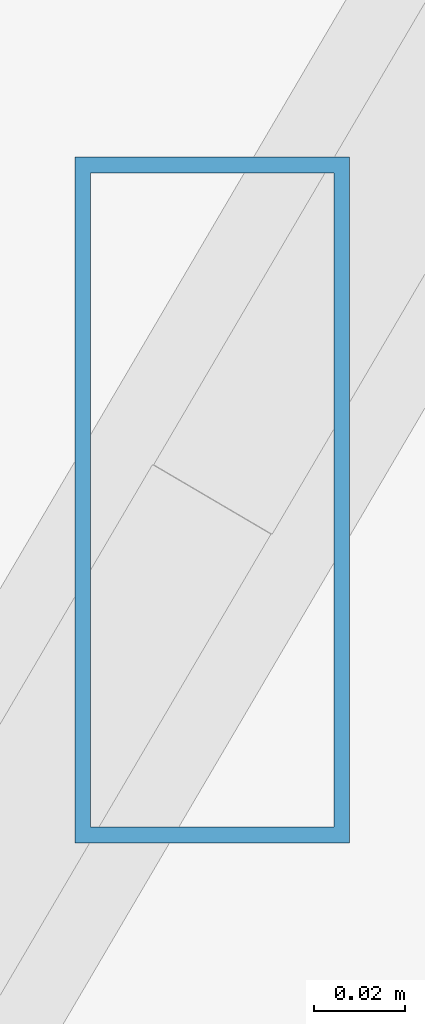
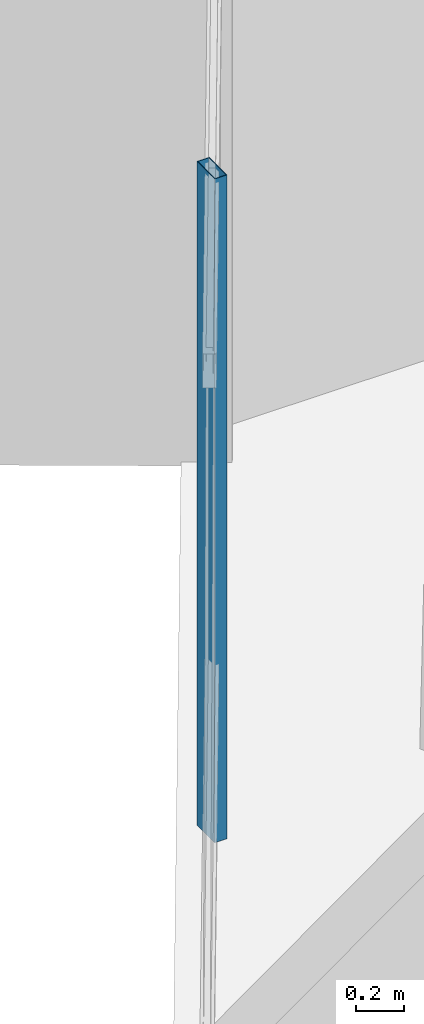
# One storey, part 8 of 44: 1 member, 1 element without a shape of its own.
"""IFC4 building model written with IfcOpenShell, lengths in metres."""

from ifc_helpers import new_model, si_unit, direction, frame, origin, origin_2d, place, context, subcontext, project, spatial, hollow_rectangle, extrude, source, transform, mapped, material, material_profile, profile_set, type_object, type_shapes, element, aggregate, save


model = new_model("IFC4")

# Units and contexts
model_context = context("Model", 3, precision=1e-05, world=origin(), true_north=direction((0.0, 1.0)))
body_context = subcontext(model_context, "Body", "Model", "MODEL_VIEW")
ifc_project = project(units=[si_unit("LENGTHUNIT", "METRE"), si_unit("AREAUNIT", "SQUARE_METRE"), si_unit("VOLUMEUNIT", "CUBIC_METRE"), si_unit("PLANEANGLEUNIT", "RADIAN"), si_unit("MASSUNIT", "GRAM", prefix="KILO")], contexts=[model_context])

# Site, building, storey
site_placement = place(None, origin())
site = spatial("IfcSite", under=ifc_project, at=site_placement, CompositionType="ELEMENT")
building_placement = place(site_placement, origin())
building = spatial("IfcBuilding", under=site, at=building_placement, Name="Caelisora Broadcast Tower", CompositionType="ELEMENT")
storey_placement = place(building_placement, frame((0.0, 0.0, 198.64990234375)))
storey = spatial("IfcBuildingStorey", under=building, at=storey_placement, Name="L52", CompositionType="ELEMENT", Elevation=198.64990234375)

# Curtain wall, member
ifc_material_1 = material(Name="Unitised Aluminium and Low-E Glass Curtain Wall", Category="glass")
curtain_wall_type = type_object("IfcCurtainWallType", Name="CW-Z4", PredefinedType="NOTDEFINED", material=ifc_material_1)
curtain_wall_placement = place(storey_placement, origin())
curtain_wall = element("IfcCurtainWall", 1, at=curtain_wall_placement, inside=storey, type_object=curtain_wall_type, Name="L52 curtain wall CW-Z4", PredefinedType="NOTDEFINED")
ifc_material_2 = material(Name="Aluminium 6063-T6 Anodised Terracotta Bronze", Category="aluminium")
ifc_material_profile = material_profile(ifc_material_2, hollow_rectangle(XDim=0.06005859375, YDim=0.14990234375, WallThickness=0.00341796875, at=origin_2d()), Name="Aluminium 6063-T6 Anodised Terracotta Bronze")
ifc_profile_set = profile_set([ifc_material_profile], Name="Aluminium 6063-T6 Anodised Terracotta Bronze")
member_type = type_object("IfcMemberType", Name="CWM-03", PredefinedType="MULLION", material=ifc_profile_set)
shared_shape = source(origin(), body_context, "Body", "SweptSolid", [
    extrude(hollow_rectangle(XDim=0.06005859375, YDim=0.14990234375, WallThickness=0.00341796875, at=origin_2d()), origin(), (0.0, 0.0, 1.0), 3.400146484375),
])
type_shapes(member_type, [shared_shape])
member_placement = place(storey_placement, frame((14.251708984375, 17.34521484375, 0.0), z_axis=(0.0, 0.0, 1.0), x_axis=(1.0, 0.0, 0.0)))
member = element("IfcMember", 2, at=member_placement, type_object=member_type, Name="L52-CW-B09 mullion #1", PredefinedType="MULLION", context=body_context, shape_type="MappedRepresentation", body=[
    mapped(shared_shape, transform((0.0, 0.0, 0.0), scale=1.0)),
])
aggregate(curtain_wall, [member])

save(model, "model.ifc")
